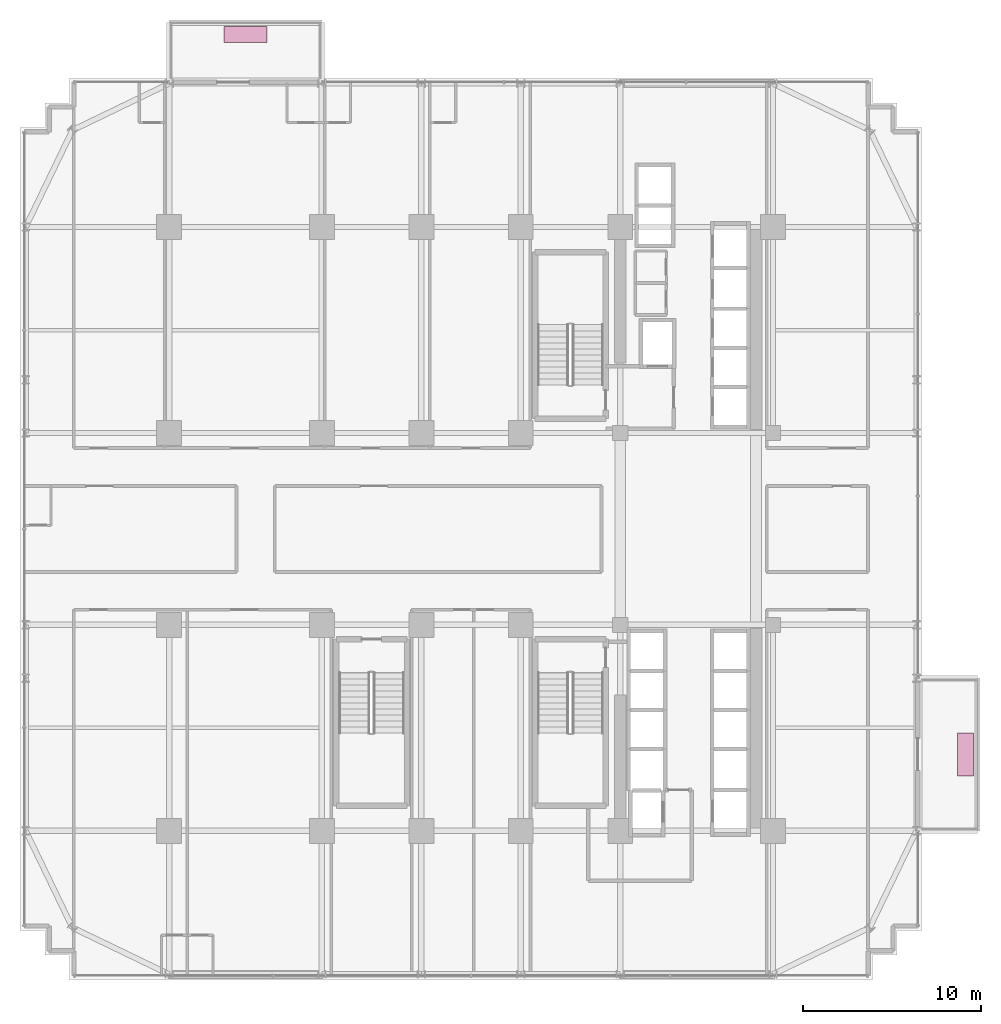
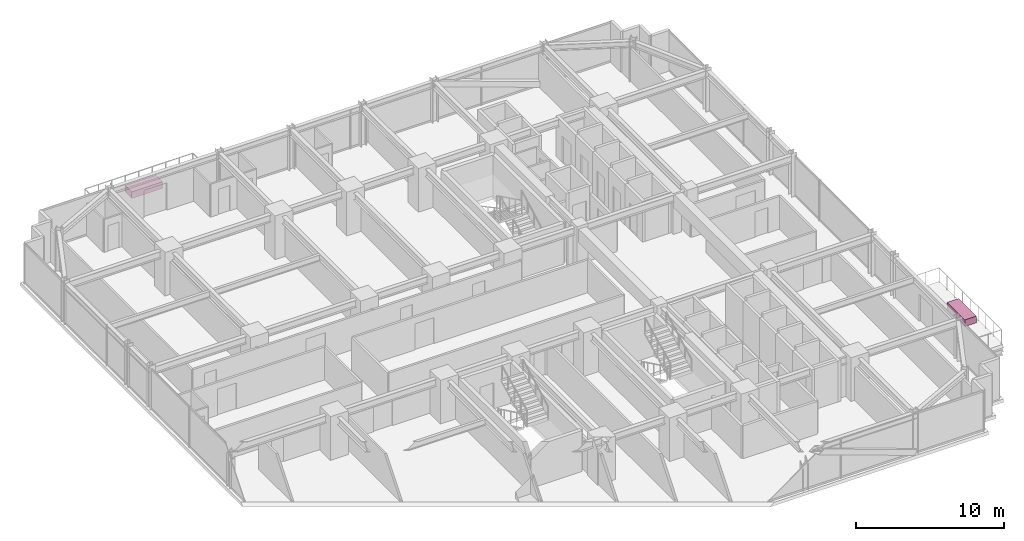
# One storey, part 35 of 35: 2 furnishings.
"""IFC4 building model written with IfcOpenShell, lengths in metres."""

from ifc_helpers import new_model, si_unit, direction, frame, origin, origin_2d, place, context, subcontext, project, spatial, rectangle, extrude, source, transform, mapped, material, type_object, element, save


model = new_model("IFC4")

# Units and contexts
model_context = context("Model", 3, precision=1e-05, world=origin(), true_north=direction((0.0, 1.0)))
body_context = subcontext(model_context, "Body", "Model", "MODEL_VIEW")
ifc_project = project(units=[si_unit("LENGTHUNIT", "METRE"), si_unit("AREAUNIT", "SQUARE_METRE"), si_unit("VOLUMEUNIT", "CUBIC_METRE"), si_unit("PLANEANGLEUNIT", "RADIAN"), si_unit("MASSUNIT", "GRAM", prefix="KILO")], contexts=[model_context])

# Site, building, storey
site_placement = place(None, origin())
site = spatial("IfcSite", under=ifc_project, at=site_placement, CompositionType="ELEMENT")
building_placement = place(site_placement, origin())
building = spatial("IfcBuilding", under=site, at=building_placement, Name="Nahalor Promenade Grand Hotel", CompositionType="ELEMENT")
storey_placement = place(building_placement, frame((0.0, 0.0, 39.699951171875)))
storey = spatial("IfcBuildingStorey", under=building, at=storey_placement, Name="L08", CompositionType="ELEMENT", Elevation=39.699951171875)

# Furnishings
ifc_material = material(Name="Vegetated Volcanic-Lapilli Tree Planter", Category="earth")
furnishing_element_type = type_object("IfcFurnishingElementType", Name="Planter-VerticalForest-Box", material=ifc_material)
shared_shape = source(origin(), body_context, "Body", "SweptSolid", [
    extrude(rectangle(XDim=2.39990234375, YDim=0.89990234375, at=origin_2d()), origin(), (0.0, 0.0, 1.0), 0.550048828125),
])
for number, where, z_axis, x_axis, name in (
    (1, (-12.699951171875, 27.840087890625, 0.0), (0.0, 0.0, 1.0), (1.0, 0.0, 0.0), "L08 Balcony Structural Tree Planter 1"),
    (2, (27.85009765625, -12.699951171875, 0.0), (0.0, 0.0, 1.0), (0.0, 1.0, 0.0), "L08 Balcony Structural Tree Planter 2"),
):
    element("IfcFurnishingElement", number, at=place(storey_placement, frame(where, z_axis=z_axis, x_axis=x_axis)), inside=storey, type_object=furnishing_element_type, Name=name, ObjectType="PLANTER", context=body_context, shape_type="MappedRepresentation", body=[
        mapped(shared_shape, transform((0.0, 0.0, 0.0), scale=1.0)),
    ])

save(model, "model.ifc")
